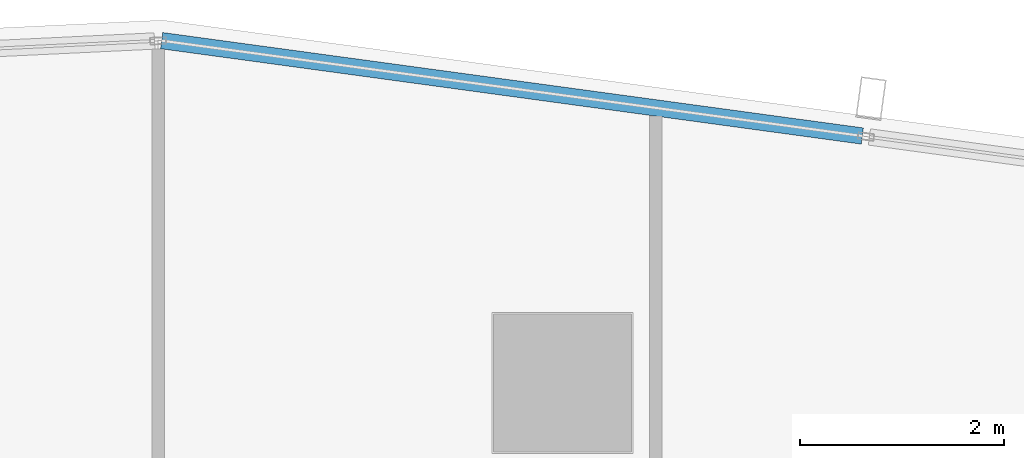
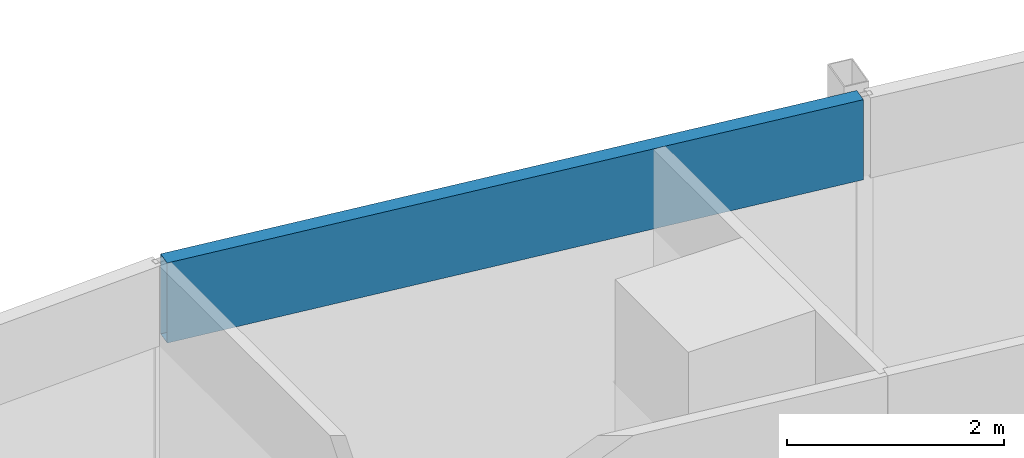
# One storey, part 22 of 38: 1 member, 1 element without a shape of its own.
"""IFC4 building model written with IfcOpenShell, lengths in metres."""

from ifc_helpers import new_model, si_unit, direction, frame, origin, origin_2d, place, context, subcontext, project, spatial, hollow_rectangle, extrude, material, material_profile, profile_set, type_object, element, aggregate, save


model = new_model("IFC4")

# Units and contexts
model_context = context("Model", 3, precision=1e-05, world=origin(), true_north=direction((0.0, 1.0)))
body_context = subcontext(model_context, "Body", "Model", "MODEL_VIEW")
ifc_project = project(units=[si_unit("LENGTHUNIT", "METRE"), si_unit("AREAUNIT", "SQUARE_METRE"), si_unit("VOLUMEUNIT", "CUBIC_METRE"), si_unit("PLANEANGLEUNIT", "RADIAN"), si_unit("MASSUNIT", "GRAM", prefix="KILO")], contexts=[model_context])

# Site, building, storey
site_placement = place(None, origin())
site = spatial("IfcSite", under=ifc_project, at=site_placement, CompositionType="ELEMENT")
building_placement = place(site_placement, origin())
building = spatial("IfcBuilding", under=site, at=building_placement, Name="Rekha Terrace Tower", CompositionType="ELEMENT")
storey_placement = place(building_placement, frame((0.0, 0.0, 198.949951171875)))
storey = spatial("IfcBuildingStorey", under=building, at=storey_placement, Name="L50", CompositionType="ELEMENT", Elevation=198.949951171875)

# Curtain wall, member
ifc_material_1 = material(Name="Aluminium framing", Category="aluminium")
curtain_wall_type = type_object("IfcCurtainWallType", Name="CW3 north unitised glazing", PredefinedType="USERDEFINED", material=ifc_material_1)
curtain_wall_placement = place(storey_placement, origin())
curtain_wall = element("IfcCurtainWall", 1, at=curtain_wall_placement, inside=storey, type_object=curtain_wall_type, Name="CW3 unitised curtain wall", ObjectType="UNITISED CURTAIN WALL", PredefinedType="USERDEFINED")
ifc_material_2 = material(Name="Insulated aluminium spandrel box", Category="aluminium")
ifc_material_profile = material_profile(ifc_material_2, hollow_rectangle(XDim=0.159912109375, YDim=0.89990234375, WallThickness=0.0029296875, at=origin_2d()), Name="AL SPANDREL BOX 160x900")
ifc_profile_set = profile_set([ifc_material_profile], Name="Insulated aluminium spandrel box")
member_type = type_object("IfcMemberType", Name="CW3 spandrel transom 160 x 900", PredefinedType="USERDEFINED", material=ifc_profile_set)
member_placement = place(storey_placement, frame((53.334716796875, 61.21630859375, 3.050048828125), z_axis=(-0.990863635349, 0.134867550367, 0.0), x_axis=(-0.134867550367, -0.990863635349, 0.0)))
member = element("IfcMember", 2, at=member_placement, type_object=member_type, Name="CW3 spandrel transom 2", ObjectType="TRANSOM", PredefinedType="USERDEFINED", context=body_context, shape_type="SweptSolid", body=[
    extrude(hollow_rectangle(XDim=0.159912109375, YDim=0.89990234375, WallThickness=0.0029296875, at=origin_2d()), origin(), (0.0, 0.0, 1.0), 6.918701171875),
])
aggregate(curtain_wall, [member])

save(model, "model.ifc")
